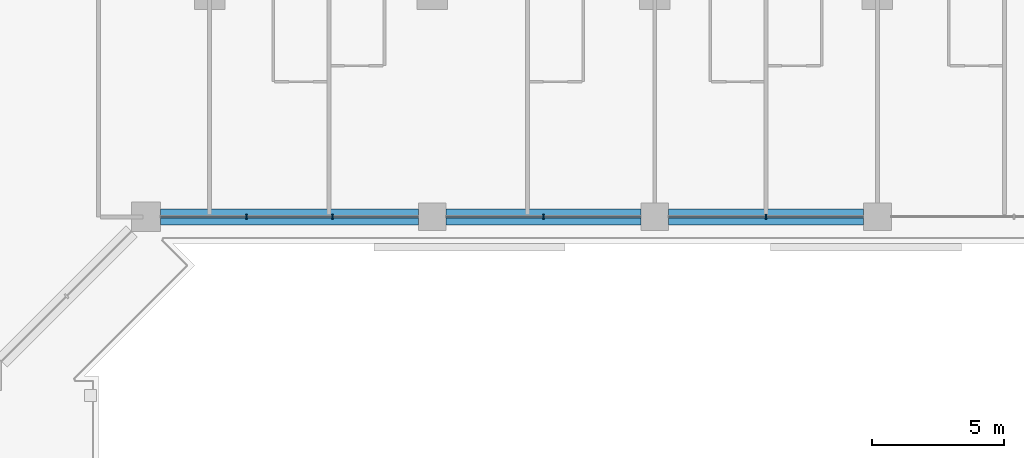
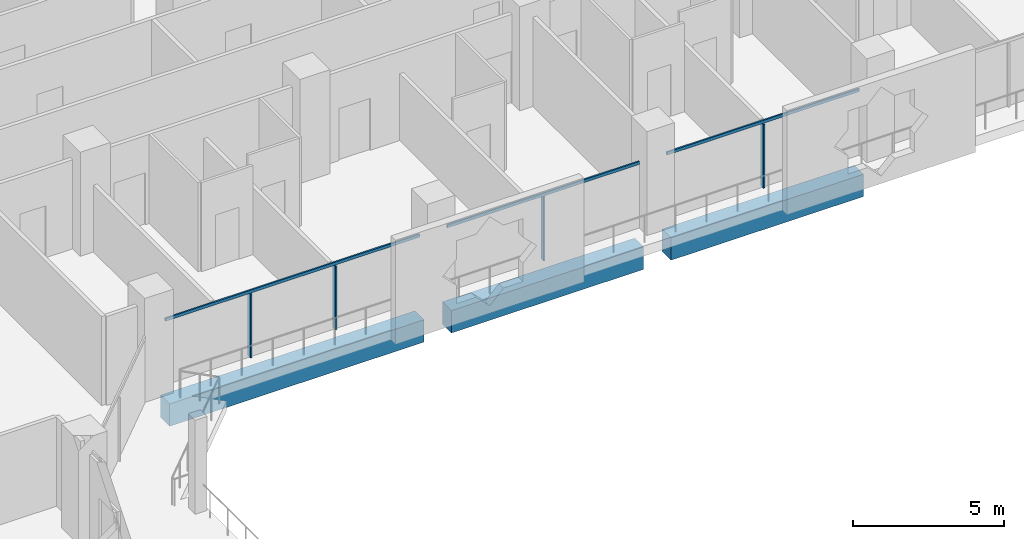
# One storey, part 6 of 25: 7 members, 3 beams, 1 element without a shape of its own.
"""IFC4 building model written with IfcOpenShell, lengths in metres."""

from ifc_helpers import new_model, si_unit, direction, frame, origin, origin_2d, place, context, subcontext, project, spatial, rectangle, extrude, material, layer, layer_set, material_profile, profile_set, type_object, element, aggregate, save


model = new_model("IFC4")

# Units and contexts
model_context = context("Model", 3, precision=1e-05, world=origin(), true_north=direction((0.0, 1.0)))
body_context = subcontext(model_context, "Body", "Model", "MODEL_VIEW")
ifc_project = project(units=[si_unit("LENGTHUNIT", "METRE"), si_unit("AREAUNIT", "SQUARE_METRE"), si_unit("VOLUMEUNIT", "CUBIC_METRE"), si_unit("PLANEANGLEUNIT", "RADIAN"), si_unit("MASSUNIT", "GRAM", prefix="KILO")], contexts=[model_context])

# Site, building, storey
site_placement = place(None, origin())
site = spatial("IfcSite", under=ifc_project, at=site_placement, CompositionType="ELEMENT")
building_placement = place(site_placement, origin())
building = spatial("IfcBuilding", under=site, at=building_placement, Name="Kawkab Arch Medical Tower", CompositionType="ELEMENT")
storey_placement = place(building_placement, frame((0.0, 0.0, 111.39990234375)))
storey = spatial("IfcBuildingStorey", under=building, at=storey_placement, Name="L25", CompositionType="ELEMENT", Elevation=111.39990234375)

# Curtain wall, members
ifc_material_1 = material(Name="Bronze anodised aluminium curtain wall frame", Category="aluminium")
ifc_layer = layer(ifc_material_1, 0.159912109375)
ifc_layer_set = layer_set([ifc_layer], Name="Bronze anodised aluminium curtain wall frame")
curtain_wall_type = type_object("IfcCurtainWallType", Name="CW1 ward curtain wall", PredefinedType="NOTDEFINED", material=ifc_layer_set)
curtain_wall_placement = place(storey_placement, origin())
curtain_wall = element("IfcCurtainWall", 1, at=curtain_wall_placement, inside=storey, type_object=curtain_wall_type, Name="CW1 Ward curtain wall R07", PredefinedType="NOTDEFINED")
ifc_material_2 = material(Name="Bronze anodised aluminium curtain wall frame", Category="aluminium")
ifc_material_profile_1 = material_profile(ifc_material_2, rectangle(XDim=0.179931640625, YDim=0.06005859375, at=origin_2d()), Name="AL 60x180")
ifc_profile_set_1 = profile_set([ifc_material_profile_1], Name="Bronze anodised aluminium curtain wall frame")
member_type_1 = type_object("IfcMemberType", Name="CW1 mullion 60 x 180", PredefinedType="MULLION", material=ifc_profile_set_1)
member_1_placement = place(storey_placement, frame((34.99169921875, -25.199951171875, 0.0), z_axis=(0.0, 0.0, 1.0), x_axis=(0.0, 1.0, 0.0)))
member_1 = element("IfcMember", 2, at=member_1_placement, type_object=member_type_1, Name="CW1 mullion 1.1", PredefinedType="MULLION", context=body_context, shape_type="SweptSolid", body=[
    extrude(rectangle(XDim=0.179931640625, YDim=0.06005859375, at=origin_2d()), origin(), (0.0, 0.0, 1.0), 2.580078125),
])
member_2_placement = place(storey_placement, frame((38.2333984375, -25.199951171875, 0.0), z_axis=(0.0, 0.0, 1.0), x_axis=(0.0, 1.0, 0.0)))
member_2 = element("IfcMember", 3, at=member_2_placement, type_object=member_type_1, Name="CW1 mullion 1.2", PredefinedType="MULLION", context=body_context, shape_type="SweptSolid", body=[
    extrude(rectangle(XDim=0.179931640625, YDim=0.06005859375, at=origin_2d()), origin(), (0.0, 0.0, 1.0), 2.580078125),
])
member_3_placement = place(storey_placement, frame((46.199951171875, -25.199951171875, 0.0), z_axis=(0.0, 0.0, 1.0), x_axis=(0.0, 1.0, 0.0)))
member_3 = element("IfcMember", 4, at=member_3_placement, type_object=member_type_1, Name="CW1 mullion 2.1", PredefinedType="MULLION", context=body_context, shape_type="SweptSolid", body=[
    extrude(rectangle(XDim=0.179931640625, YDim=0.06005859375, at=origin_2d()), origin(), (0.0, 0.0, 1.0), 2.580078125),
])
member_4_placement = place(storey_placement, frame((54.60009765625, -25.199951171875, 0.0), z_axis=(0.0, 0.0, 1.0), x_axis=(0.0, 1.0, 0.0)))
member_4 = element("IfcMember", 5, at=member_4_placement, type_object=member_type_1, Name="CW1 mullion 3.1", PredefinedType="MULLION", context=body_context, shape_type="SweptSolid", body=[
    extrude(rectangle(XDim=0.179931640625, YDim=0.06005859375, at=origin_2d()), origin(), (0.0, 0.0, 1.0), 2.580078125),
])
ifc_material_3 = material(Name="Bronze anodised aluminium curtain wall frame", Category="aluminium")
ifc_material_profile_2 = material_profile(ifc_material_3, rectangle(XDim=0.06005859375, YDim=0.1201171875, at=origin_2d()), Name="AL 60x120")
ifc_profile_set_2 = profile_set([ifc_material_profile_2], Name="Bronze anodised aluminium curtain wall frame")
member_type_2 = type_object("IfcMemberType", Name="CW1 transom 120 x 60", PredefinedType="USERDEFINED", material=ifc_profile_set_2)
member_5_placement = place(storey_placement, frame((31.75, -25.199951171875, 2.64013671875), z_axis=(1.0, 0.0, 0.0), x_axis=(0.0, 1.0, 0.0)))
member_5 = element("IfcMember", 6, at=member_5_placement, type_object=member_type_2, Name="CW1 transom 1", ObjectType="TRANSOM", PredefinedType="USERDEFINED", context=body_context, shape_type="SweptSolid", body=[
    extrude(rectangle(XDim=0.06005859375, YDim=0.1201171875, at=origin_2d()), origin(), (0.0, 0.0, 1.0), 9.72509765625),
])
member_6_placement = place(storey_placement, frame((42.52490234375, -25.199951171875, 2.64013671875), z_axis=(1.0, 0.0, 0.0), x_axis=(0.0, 1.0, 0.0)))
member_6 = element("IfcMember", 7, at=member_6_placement, type_object=member_type_2, Name="CW1 transom 2", ObjectType="TRANSOM", PredefinedType="USERDEFINED", context=body_context, shape_type="SweptSolid", body=[
    extrude(rectangle(XDim=0.06005859375, YDim=0.1201171875, at=origin_2d()), origin(), (0.0, 0.0, 1.0), 7.35009765625),
])
member_7_placement = place(storey_placement, frame((50.925048828125, -25.199951171875, 2.64013671875), z_axis=(1.0, 0.0, 0.0), x_axis=(0.0, 1.0, 0.0)))
member_7 = element("IfcMember", 8, at=member_7_placement, type_object=member_type_2, Name="CW1 transom 3", ObjectType="TRANSOM", PredefinedType="USERDEFINED", context=body_context, shape_type="SweptSolid", body=[
    extrude(rectangle(XDim=0.06005859375, YDim=0.1201171875, at=origin_2d()), origin(), (0.0, 0.0, 1.0), 7.349853515625),
])
aggregate(curtain_wall, [member_5, member_1, member_2, member_6, member_3, member_7, member_4])

# Beams
ifc_material_4 = material(Name="Concrete C55/67", Category="concrete")
ifc_material_profile_3 = material_profile(ifc_material_4, rectangle(XDim=0.60009765625, YDim=0.89990234375, at=origin_2d()), Name="RC 600x900")
ifc_profile_set_3 = profile_set([ifc_material_profile_3], Name="Concrete C55/67")
beam_type = type_object("IfcBeamType", Name="RC 600x900 beam C55/67", PredefinedType="BEAM", material=ifc_profile_set_3)
beam_1_placement = place(storey_placement, frame((58.27490234375, -25.199951171875, -1.0498046875), z_axis=(-1.0, 0.0, 0.0), x_axis=(0.0, -1.0, 0.0)))
element("IfcBeam", 9, at=beam_1_placement, inside=storey, type_object=beam_type, Name="Overhang edge beam L25-01", PredefinedType="BEAM", context=body_context, shape_type="SweptSolid", body=[
    extrude(rectangle(XDim=0.60009765625, YDim=0.89990234375, at=origin_2d()), origin(), (0.0, 0.0, 1.0), 7.349853515625),
])
beam_2_placement = place(storey_placement, frame((49.875, -25.199951171875, -1.0498046875), z_axis=(-1.0, 0.0, 0.0), x_axis=(0.0, -1.0, 0.0)))
element("IfcBeam", 10, at=beam_2_placement, inside=storey, type_object=beam_type, Name="Overhang edge beam L25-02", PredefinedType="BEAM", context=body_context, shape_type="SweptSolid", body=[
    extrude(rectangle(XDim=0.60009765625, YDim=0.89990234375, at=origin_2d()), origin(), (0.0, 0.0, 1.0), 7.35009765625),
])
beam_3_placement = place(storey_placement, frame((41.47509765625, -25.199951171875, -1.0498046875), z_axis=(-1.0, 0.0, 0.0), x_axis=(0.0, -1.0, 0.0)))
element("IfcBeam", 11, at=beam_3_placement, inside=storey, type_object=beam_type, Name="Overhang edge beam L25-03", PredefinedType="BEAM", context=body_context, shape_type="SweptSolid", body=[
    extrude(rectangle(XDim=0.60009765625, YDim=0.89990234375, at=origin_2d()), origin(), (0.0, 0.0, 1.0), 9.72509765625),
])

save(model, "model.ifc")
